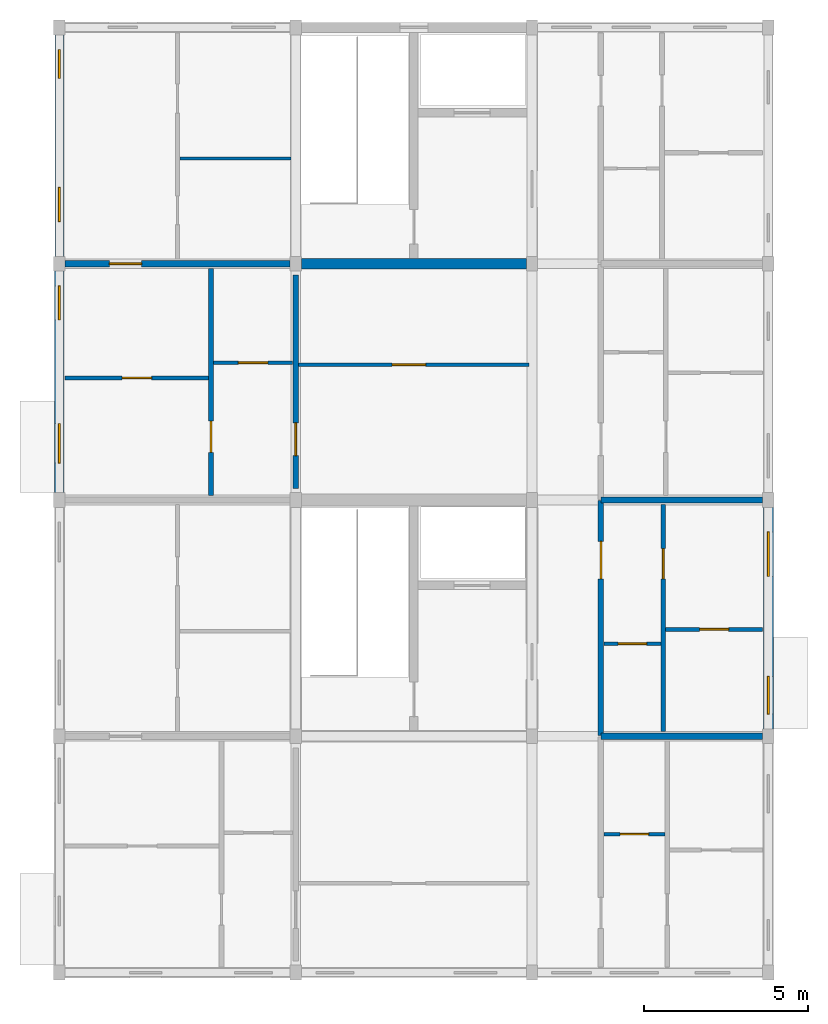
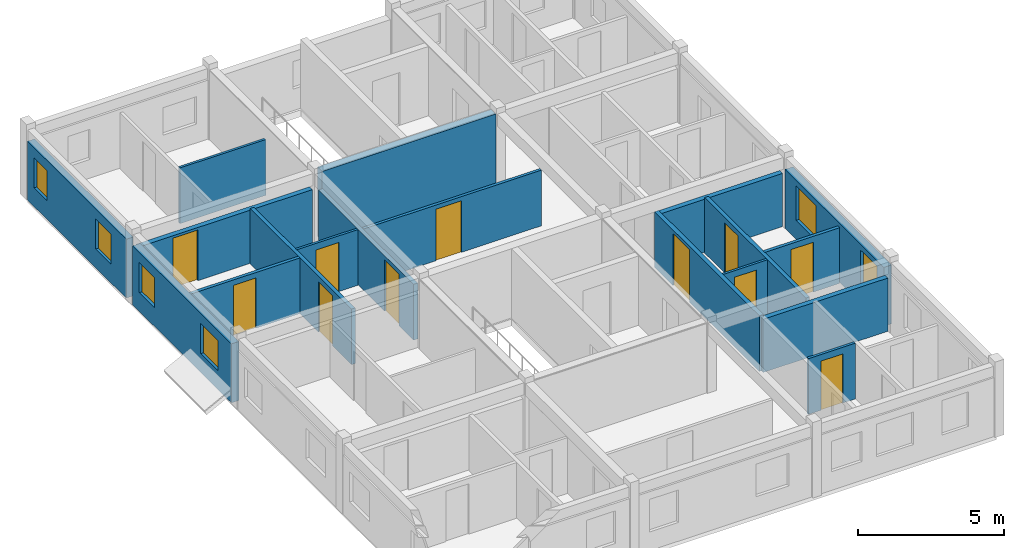
# One storey, part 3 of 6: 18 walls, 11 doors, 6 windows, 17 openings.
"""IFC4 building model written with IfcOpenShell, lengths in metres."""

from ifc_helpers import new_model, si_unit, direction, frame, frame_2d, origin, place, context, subcontext, project, spatial, rectangle, extrude, material, layer, layer_set, type_object, element, fill, save


model = new_model("IFC4")

# Units and contexts
model_context = context("Model", 3, precision=1e-05, world=origin(), true_north=direction((0.0, 1.0)))
body_context = subcontext(model_context, "Body", "Model", "MODEL_VIEW")
ifc_project = project(units=[si_unit("LENGTHUNIT", "METRE"), si_unit("AREAUNIT", "SQUARE_METRE"), si_unit("VOLUMEUNIT", "CUBIC_METRE"), si_unit("PLANEANGLEUNIT", "RADIAN"), si_unit("MASSUNIT", "GRAM", prefix="KILO"), si_unit("THERMODYNAMICTEMPERATUREUNIT", "KELVIN"), si_unit("POWERUNIT", "WATT")], contexts=[model_context])

# Site, building, storey
site_placement = place(None, origin())
site = spatial("IfcSite", under=ifc_project, at=site_placement, CompositionType="ELEMENT")
building_placement = place(site_placement, origin())
building = spatial("IfcBuilding", under=site, at=building_placement, Name="Tavuni Mirador Residences", CompositionType="ELEMENT")
storey_placement = place(building_placement, frame((0.0, 0.0, 48.60009765625)))
storey = spatial("IfcBuildingStorey", under=building, at=storey_placement, Name="L15", CompositionType="ELEMENT", Elevation=48.60009765625)

# Wall
ifc_material_1 = material(Name="Precast concrete C40/50", Category="concrete")
ifc_layer_1 = layer(ifc_material_1, 0.320068359375, Name="Precast concrete C40/50", Category="concrete")
ifc_layer_set_1 = layer_set([ifc_layer_1], Name="Precast concrete C40/50")
wall_type_1 = type_object("IfcWallType", Name="WT-COR320", PredefinedType="SHEAR", material=ifc_layer_set_1)
wall_1_placement = place(storey_placement, frame((10.97509765625, 28.800048828125, 0.0), z_axis=(0.0, 0.0, 1.0), x_axis=(1.0, 0.0, 0.0)))
element("IfcWall", 1, at=wall_1_placement, inside=storey, type_object=wall_type_1, Name="CWALL-C2-L15-SS", PredefinedType="SHEAR", context=body_context, shape_type="SweptSolid", body=[
    extrude(rectangle(XDim=6.849853515625, YDim=0.320068359375, at=frame_2d((3.4248046875, 0.0))), origin(), (0.0, 0.0, 1.0), 2.889892578125),
])

# Wall, opening, door
ifc_layer_2 = layer(ifc_material_1, 0.1650390625, Name="Precast concrete C40/50", Category="concrete")
ifc_layer_set_2 = layer_set([ifc_layer_2], Name="Precast concrete C40/50")
wall_type_2 = type_object("IfcWallType", Name="WT-CORR165", PredefinedType="PARTITIONING", material=ifc_layer_set_2)
wall_2_placement = place(storey_placement, frame((20.10009765625, 14.419921875, 0.0), z_axis=(0.0, 0.0, 1.0), x_axis=(0.0, 1.0, 0.0)))
wall_2 = element("IfcWall", 2, at=wall_2_placement, inside=storey, type_object=wall_type_2, Name="CORW-BLK-A-L15-0-01", PredefinedType="PARTITIONING", context=body_context, shape_type="SweptSolid", body=[
    extrude(rectangle(XDim=7.16015625, YDim=0.1650390625, at=frame_2d((3.580078125, 0.0))), origin(), (0.0, 0.0, 1.0), 2.324951171875),
])
opening_1_placement = place(wall_2_placement, frame((4.780029296875, 0.0, 0.0)))
opening_1 = element("IfcOpeningElement", 3, at=opening_1_placement, cuts=wall_2, Name="Opening D-20", PredefinedType="OPENING", context=body_context, shape_type="SweptSolid", body=[
    extrude(rectangle(XDim=1.139892578125, YDim=2.179931640625, at=frame_2d((0.56982421875, 1.08984375))), frame((0.0, 0.092529296875, 0.0), z_axis=(0.0, -1.0, 0.0), x_axis=(1.0, 0.0, 0.0)), (0.0, 0.0, 1.0), 0.18505859375),
])
ifc_material_2 = material(Name="Solid core iroko timber", Category="wood")
door_type_1 = type_object("IfcDoorType", Name="DT-FD60-1140", OperationType="NOTDEFINED", PredefinedType="DOOR", material=ifc_material_2)
door_1_placement = place(opening_1_placement, origin())
door_1 = element("IfcDoor", 4, at=door_1_placement, inside=storey, type_object=door_type_1, Name="DR-2516", OperationType="SINGLE_SWING_LEFT", OverallHeight=2.179931640625, OverallWidth=1.139892578125, PredefinedType="DOOR", context=body_context, shape_type="SweptSolid", body=[
    extrude(rectangle(XDim=1.139892578125, YDim=2.179931640625, at=frame_2d((0.56982421875, 1.08984375))), frame((0.0, 0.02490234375, 0.0), z_axis=(0.0, -1.0, 0.0), x_axis=(1.0, 0.0, 0.0)), (0.0, 0.0, 1.0), 0.050048828125),
])
fill(opening_1, door_1)

wall_3_placement = place(storey_placement, frame((10.800048828125, 21.949951171875, 0.0), z_axis=(0.0, 0.0, 1.0), x_axis=(0.0, 1.0, 0.0)))
wall_3 = element("IfcWall", 5, at=wall_3_placement, inside=storey, type_object=wall_type_2, Name="CORW-BLK-A-L15-1-02", PredefinedType="PARTITIONING", context=body_context, shape_type="SweptSolid", body=[
    extrude(rectangle(XDim=6.5, YDim=0.1650390625, at=frame_2d((3.25, 0.0))), origin(), (0.0, 0.0, 1.0), 2.324951171875),
])
opening_2_placement = place(wall_3_placement, frame((1.0, 0.0, 0.0)))
opening_2 = element("IfcOpeningElement", 6, at=opening_2_placement, cuts=wall_3, Name="Opening D-03", PredefinedType="OPENING", context=body_context, shape_type="SweptSolid", body=[
    extrude(rectangle(XDim=1.0, YDim=2.14990234375, at=frame_2d((0.5, 1.074951171875))), frame((0.0, 0.092529296875, 0.0), z_axis=(0.0, -1.0, 0.0), x_axis=(1.0, 0.0, 0.0)), (0.0, 0.0, 1.0), 0.18505859375),
])
door_type_2 = type_object("IfcDoorType", Name="DT-FD60-1000", OperationType="NOTDEFINED", PredefinedType="DOOR", material=ifc_material_2)
door_2_placement = place(opening_2_placement, origin())
door_2 = element("IfcDoor", 7, at=door_2_placement, inside=storey, type_object=door_type_2, Name="DR-2520", OperationType="SINGLE_SWING_LEFT", OverallHeight=2.14990234375, OverallWidth=1.0, PredefinedType="DOOR", context=body_context, shape_type="SweptSolid", body=[
    extrude(rectangle(XDim=1.0, YDim=2.14990234375, at=frame_2d((0.5, 1.074951171875))), frame((0.0, 0.02490234375, 0.0), z_axis=(0.0, -1.0, 0.0), x_axis=(1.0, 0.0, 0.0)), (0.0, 0.0, 1.0), 0.050048828125),
])
fill(opening_2, door_2)

# Wall, openings, windows
ifc_material_3 = material(Name="Sgraffito lime-rendered precast concrete C40/50", Category="concrete")
ifc_layer_3 = layer(ifc_material_3, 0.27490234375, Name="Sgraffito lime-rendered precast concrete C40/50", Category="concrete")
ifc_layer_set_3 = layer_set([ifc_layer_3], Name="Sgraffito lime-rendered precast concrete C40/50")
wall_type_3 = type_object("IfcWallType", Name="WT-EXT-PC275", PredefinedType="SOLIDWALL", material=ifc_layer_set_3)
wall_4_placement = place(storey_placement, frame((3.60009765625, 35.77490234375, 0.0), z_axis=(0.0, 0.0, 1.0), x_axis=(0.0, -1.0, 0.0)))
wall_4 = element("IfcWall", 8, at=wall_4_placement, inside=storey, type_object=wall_type_3, Name="EW-BLK-A-L15-W03", PredefinedType="SOLIDWALL", context=body_context, shape_type="SweptSolid", body=[
    extrude(rectangle(XDim=6.75, YDim=0.27490234375, at=frame_2d((3.375, 0.0))), origin(), (0.0, 0.0, 1.0), 2.4599609375),
])
opening_3_placement = place(wall_4_placement, frame((0.449951171875, 0.0, 0.780029296875)))
opening_3 = element("IfcOpeningElement", 9, at=opening_3_placement, cuts=wall_4, Name="Opening WN-09", PredefinedType="OPENING", context=body_context, shape_type="SweptSolid", body=[
    extrude(rectangle(XDim=0.8798828125, YDim=1.260009765625, at=frame_2d((0.43994140625, 0.6298828125))), frame((0.0, 0.1474609375, 0.0), z_axis=(0.0, -1.0, 0.0), x_axis=(1.0, 0.0, 0.0)), (0.0, 0.0, 1.0), 0.294921875),
])
opening_4_placement = place(wall_4_placement, frame((4.64990234375, 0.0, 0.780029296875)))
opening_4 = element("IfcOpeningElement", 10, at=opening_4_placement, cuts=wall_4, Name="Opening WN-11", PredefinedType="OPENING", context=body_context, shape_type="SweptSolid", body=[
    extrude(rectangle(XDim=1.0400390625, YDim=1.260009765625, at=frame_2d((0.52001953125, 0.6298828125))), frame((0.0, 0.1474609375, 0.0), z_axis=(0.0, -1.0, 0.0), x_axis=(1.0, 0.0, 0.0)), (0.0, 0.0, 1.0), 0.294921875),
])
ifc_material_4 = material(Name="Laminated solar-control glass", Category="glass")
window_type_1 = type_object("IfcWindowType", Name="WNT-09", PartitioningType="SINGLE_PANEL", PredefinedType="WINDOW", material=ifc_material_4)
window_1_placement = place(opening_3_placement, origin())
window_1 = element("IfcWindow", 11, at=window_1_placement, inside=storey, type_object=window_type_1, Name="WIN-0533", OverallHeight=1.260009765625, OverallWidth=0.8798828125, PartitioningType="SINGLE_PANEL", PredefinedType="WINDOW", context=body_context, shape_type="SweptSolid", body=[
    extrude(rectangle(XDim=0.8798828125, YDim=1.260009765625, at=frame_2d((0.43994140625, 0.6298828125))), frame((0.0, 0.030029296875, 0.0), z_axis=(0.0, -1.0, 0.0), x_axis=(1.0, 0.0, 0.0)), (0.0, 0.0, 1.0), 0.06005859375),
])
fill(opening_3, window_1)
window_type_2 = type_object("IfcWindowType", Name="WNT-11", PartitioningType="SINGLE_PANEL", PredefinedType="WINDOW", material=ifc_material_4)
window_2_placement = place(opening_4_placement, origin())
window_2 = element("IfcWindow", 12, at=window_2_placement, inside=storey, type_object=window_type_2, Name="WIN-0534", OverallHeight=1.260009765625, OverallWidth=1.0400390625, PartitioningType="SINGLE_PANEL", PredefinedType="WINDOW", context=body_context, shape_type="SweptSolid", body=[
    extrude(rectangle(XDim=1.0400390625, YDim=1.260009765625, at=frame_2d((0.52001953125, 0.6298828125))), frame((0.0, 0.030029296875, 0.0), z_axis=(0.0, -1.0, 0.0), x_axis=(1.0, 0.0, 0.0)), (0.0, 0.0, 1.0), 0.06005859375),
])
fill(opening_4, window_2)

ifc_layer_4 = layer(ifc_material_3, 0.2900390625, Name="Sgraffito lime-rendered precast concrete C40/50", Category="concrete")
ifc_layer_set_4 = layer_set([ifc_layer_4], Name="Sgraffito lime-rendered precast concrete C40/50")
wall_type_4 = type_object("IfcWallType", Name="WT-EXT-PC290", PredefinedType="SOLIDWALL", material=ifc_layer_set_4)
wall_5_placement = place(storey_placement, frame((3.60009765625, 28.574951171875, 0.0), z_axis=(0.0, 0.0, 1.0), x_axis=(0.0, -1.0, 0.0)))
wall_5 = element("IfcWall", 13, at=wall_5_placement, inside=storey, type_object=wall_type_4, Name="EW-BLK-A-L15-W02", PredefinedType="SOLIDWALL", context=body_context, shape_type="SweptSolid", body=[
    extrude(rectangle(XDim=6.75, YDim=0.2900390625, at=frame_2d((3.375, 0.0))), origin(), (0.0, 0.0, 1.0), 2.4599609375),
])
opening_5_placement = place(wall_5_placement, frame((0.449951171875, 0.0, 0.780029296875)))
opening_5 = element("IfcOpeningElement", 14, at=opening_5_placement, cuts=wall_5, Name="Opening WN-11", PredefinedType="OPENING", context=body_context, shape_type="SweptSolid", body=[
    extrude(rectangle(XDim=1.0400390625, YDim=1.260009765625, at=frame_2d((0.52001953125, 0.6298828125))), frame((0.0, 0.155029296875, 0.0), z_axis=(0.0, -1.0, 0.0), x_axis=(1.0, 0.0, 0.0)), (0.0, 0.0, 1.0), 0.31005859375),
])
opening_6_placement = place(wall_5_placement, frame((4.64990234375, 0.0, 0.780029296875)))
opening_6 = element("IfcOpeningElement", 15, at=opening_6_placement, cuts=wall_5, Name="Opening WN-13", PredefinedType="OPENING", context=body_context, shape_type="SweptSolid", body=[
    extrude(rectangle(XDim=1.199951171875, YDim=1.260009765625, at=frame_2d((0.60009765625, 0.6298828125))), frame((0.0, 0.155029296875, 0.0), z_axis=(0.0, -1.0, 0.0), x_axis=(1.0, 0.0, 0.0)), (0.0, 0.0, 1.0), 0.31005859375),
])
window_3_placement = place(opening_5_placement, origin())
window_3 = element("IfcWindow", 16, at=window_3_placement, inside=storey, type_object=window_type_2, Name="WIN-0535", OverallHeight=1.260009765625, OverallWidth=1.0400390625, PartitioningType="SINGLE_PANEL", PredefinedType="WINDOW", context=body_context, shape_type="SweptSolid", body=[
    extrude(rectangle(XDim=1.0400390625, YDim=1.260009765625, at=frame_2d((0.52001953125, 0.6298828125))), frame((0.0, 0.030029296875, 0.0), z_axis=(0.0, -1.0, 0.0), x_axis=(1.0, 0.0, 0.0)), (0.0, 0.0, 1.0), 0.06005859375),
])
fill(opening_5, window_3)
window_type_3 = type_object("IfcWindowType", Name="WNT-13", PartitioningType="SINGLE_PANEL", PredefinedType="WINDOW", material=ifc_material_4)
window_4_placement = place(opening_6_placement, origin())
window_4 = element("IfcWindow", 17, at=window_4_placement, inside=storey, type_object=window_type_3, Name="WIN-0536", OverallHeight=1.260009765625, OverallWidth=1.199951171875, PartitioningType="SINGLE_PANEL", PredefinedType="WINDOW", context=body_context, shape_type="SweptSolid", body=[
    extrude(rectangle(XDim=1.199951171875, YDim=1.260009765625, at=frame_2d((0.60009765625, 0.6298828125))), frame((0.0, 0.030029296875, 0.0), z_axis=(0.0, -1.0, 0.0), x_axis=(1.0, 0.0, 0.0)), (0.0, 0.0, 1.0), 0.06005859375),
])
fill(opening_6, window_4)

ifc_layer_5 = layer(ifc_material_3, 0.304931640625, Name="Sgraffito lime-rendered precast concrete C40/50", Category="concrete")
ifc_layer_set_5 = layer_set([ifc_layer_5], Name="Sgraffito lime-rendered precast concrete C40/50")
wall_type_5 = type_object("IfcWallType", Name="WT-EXT-PC305", PredefinedType="SOLIDWALL", material=ifc_layer_set_5)
wall_6_placement = place(storey_placement, frame((25.199951171875, 14.625, 0.0), z_axis=(0.0, 0.0, 1.0), x_axis=(0.0, 1.0, 0.0)))
wall_6 = element("IfcWall", 18, at=wall_6_placement, inside=storey, type_object=wall_type_5, Name="EW-BLK-A-L15-E01", PredefinedType="SOLIDWALL", context=body_context, shape_type="SweptSolid", body=[
    extrude(rectangle(XDim=6.75, YDim=0.304931640625, at=frame_2d((3.375, 0.0))), origin(), (0.0, 0.0, 1.0), 2.4599609375),
])
opening_7_placement = place(wall_6_placement, frame((0.449951171875, 0.0, 0.780029296875)))
opening_7 = element("IfcOpeningElement", 19, at=opening_7_placement, cuts=wall_6, Name="Opening WN-27", PredefinedType="OPENING", context=body_context, shape_type="SweptSolid", body=[
    extrude(rectangle(XDim=1.14990234375, YDim=1.43994140625, at=frame_2d((0.574951171875, 0.719970703125))), frame((0.0, 0.16259765625, 0.0), z_axis=(0.0, -1.0, 0.0), x_axis=(1.0, 0.0, 0.0)), (0.0, 0.0, 1.0), 0.324951171875),
])
opening_8_placement = place(wall_6_placement, frame((4.64990234375, 0.0, 0.780029296875)))
opening_8 = element("IfcOpeningElement", 20, at=opening_8_placement, cuts=wall_6, Name="Opening WN-29", PredefinedType="OPENING", context=body_context, shape_type="SweptSolid", body=[
    extrude(rectangle(XDim=1.35009765625, YDim=1.43994140625, at=frame_2d((0.675048828125, 0.719970703125))), frame((0.0, 0.16259765625, 0.0), z_axis=(0.0, -1.0, 0.0), x_axis=(1.0, 0.0, 0.0)), (0.0, 0.0, 1.0), 0.324951171875),
])
window_type_4 = type_object("IfcWindowType", Name="WNT-27", PartitioningType="SINGLE_PANEL", PredefinedType="WINDOW", material=ifc_material_4)
window_5_placement = place(opening_7_placement, origin())
window_5 = element("IfcWindow", 21, at=window_5_placement, inside=storey, type_object=window_type_4, Name="WIN-0521", OverallHeight=1.43994140625, OverallWidth=1.14990234375, PartitioningType="SINGLE_PANEL", PredefinedType="WINDOW", context=body_context, shape_type="SweptSolid", body=[
    extrude(rectangle(XDim=1.14990234375, YDim=1.43994140625, at=frame_2d((0.574951171875, 0.719970703125))), frame((0.0, 0.030029296875, 0.0), z_axis=(0.0, -1.0, 0.0), x_axis=(1.0, 0.0, 0.0)), (0.0, 0.0, 1.0), 0.06005859375),
])
fill(opening_7, window_5)
window_type_5 = type_object("IfcWindowType", Name="WNT-29", PartitioningType="SINGLE_PANEL", PredefinedType="WINDOW", material=ifc_material_4)
window_6_placement = place(opening_8_placement, origin())
window_6 = element("IfcWindow", 22, at=window_6_placement, inside=storey, type_object=window_type_5, Name="WIN-0522", OverallHeight=1.43994140625, OverallWidth=1.35009765625, PartitioningType="SINGLE_PANEL", PredefinedType="WINDOW", context=body_context, shape_type="SweptSolid", body=[
    extrude(rectangle(XDim=1.35009765625, YDim=1.43994140625, at=frame_2d((0.675048828125, 0.719970703125))), frame((0.0, 0.030029296875, 0.0), z_axis=(0.0, -1.0, 0.0), x_axis=(1.0, 0.0, 0.0)), (0.0, 0.0, 1.0), 0.06005859375),
])
fill(opening_8, window_6)

# Wall, opening, door
ifc_material_5 = material(Name="Acoustic gypsum and concrete block partition", Category="concrete")
ifc_layer_6 = layer(ifc_material_5, 0.094970703125, Name="Acoustic gypsum and concrete block partition", Category="concrete")
ifc_layer_set_6 = layer_set([ifc_layer_6], Name="Acoustic gypsum and concrete block partition")
wall_type_6 = type_object("IfcWallType", Name="WT-PART095", PredefinedType="PARTITIONING", material=ifc_layer_set_6)
wall_7_placement = place(storey_placement, frame((20.18994140625, 17.219970703125, 0.0), z_axis=(0.0, 0.0, 1.0), x_axis=(1.0, 0.0, 0.0)))
wall_7 = element("IfcWall", 23, at=wall_7_placement, inside=storey, type_object=wall_type_6, Name="PW-BLK-A-L15-E01-IN1", PredefinedType="PARTITIONING", context=body_context, shape_type="SweptSolid", body=[
    extrude(rectangle(XDim=1.739990234375, YDim=0.094970703125, at=frame_2d((0.8701171875, 0.0))), origin(), (0.0, 0.0, 1.0), 2.324951171875),
])
opening_9_placement = place(wall_7_placement, frame((0.43505859375, 0.0, 0.0)))
opening_9 = element("IfcOpeningElement", 24, at=opening_9_placement, cuts=wall_7, Name="Opening D-10", PredefinedType="OPENING", context=body_context, shape_type="SweptSolid", body=[
    extrude(rectangle(XDim=0.8701171875, YDim=2.050048828125, at=frame_2d((0.43505859375, 1.02490234375))), frame((0.0, 0.0576171875, 0.0), z_axis=(0.0, -1.0, 0.0), x_axis=(1.0, 0.0, 0.0)), (0.0, 0.0, 1.0), 0.114990234375),
])
door_type_3 = type_object("IfcDoorType", Name="DT-WC870", OperationType="NOTDEFINED", PredefinedType="DOOR", material=ifc_material_2)
door_3_placement = place(opening_9_placement, origin())
door_3 = element("IfcDoor", 25, at=door_3_placement, inside=storey, type_object=door_type_3, Name="DR-3410", OperationType="SINGLE_SWING_LEFT", OverallHeight=2.050048828125, OverallWidth=0.8701171875, PredefinedType="DOOR", context=body_context, shape_type="SweptSolid", body=[
    extrude(rectangle(XDim=0.8701171875, YDim=2.050048828125, at=frame_2d((0.43505859375, 1.02490234375))), frame((0.0, 0.02490234375, 0.0), z_axis=(0.0, -1.0, 0.0), x_axis=(1.0, 0.0, 0.0)), (0.0, 0.0, 1.0), 0.050048828125),
])
fill(opening_9, door_3)

wall_8_placement = place(storey_placement, frame((8.2900390625, 25.780029296875, 0.0), z_axis=(0.0, 0.0, 1.0), x_axis=(1.0, 0.0, 0.0)))
wall_8 = element("IfcWall", 26, at=wall_8_placement, inside=storey, type_object=wall_type_6, Name="PW-BLK-A-L15-W02-IN1", PredefinedType="PARTITIONING", context=body_context, shape_type="SweptSolid", body=[
    extrude(rectangle(XDim=2.419921875, YDim=0.094970703125, at=frame_2d((1.2099609375, 0.0))), origin(), (0.0, 0.0, 1.0), 2.324951171875),
])
opening_10_placement = place(wall_8_placement, frame((0.760009765625, 0.0, 0.0)))
opening_10 = element("IfcOpeningElement", 27, at=opening_10_placement, cuts=wall_8, Name="Opening D-09", PredefinedType="OPENING", context=body_context, shape_type="SweptSolid", body=[
    extrude(rectangle(XDim=0.89990234375, YDim=2.050048828125, at=frame_2d((0.449951171875, 1.02490234375))), frame((0.0, 0.0576171875, 0.0), z_axis=(0.0, -1.0, 0.0), x_axis=(1.0, 0.0, 0.0)), (0.0, 0.0, 1.0), 0.114990234375),
])
door_type_4 = type_object("IfcDoorType", Name="DT-WC900", OperationType="NOTDEFINED", PredefinedType="DOOR", material=ifc_material_2)
door_4_placement = place(opening_10_placement, origin())
door_4 = element("IfcDoor", 28, at=door_4_placement, inside=storey, type_object=door_type_4, Name="DR-3414", OperationType="SINGLE_SWING_RIGHT", OverallHeight=2.050048828125, OverallWidth=0.89990234375, PredefinedType="DOOR", context=body_context, shape_type="SweptSolid", body=[
    extrude(rectangle(XDim=0.89990234375, YDim=2.050048828125, at=frame_2d((0.449951171875, 1.02490234375))), frame((0.0, 0.02490234375, 0.0), z_axis=(0.0, -1.0, 0.0), x_axis=(1.0, 0.0, 0.0)), (0.0, 0.0, 1.0), 0.050048828125),
])
fill(opening_10, door_4)

# Wall
wall_9_placement = place(storey_placement, frame((7.27001953125, 32.0, 0.0), z_axis=(0.0, 0.0, 1.0), x_axis=(1.0, 0.0, 0.0)))
element("IfcWall", 29, at=wall_9_placement, inside=storey, type_object=wall_type_6, Name="PW-BLK-A-L15-WC03-H", PredefinedType="PARTITIONING", context=body_context, shape_type="SweptSolid", body=[
    extrude(rectangle(XDim=3.389892578125, YDim=0.094970703125, at=frame_2d((1.69482421875, 0.0))), origin(), (0.0, 0.0, 1.0), 2.324951171875),
])

# Wall, opening, door
ifc_layer_7 = layer(ifc_material_5, 0.10498046875, Name="Acoustic gypsum and concrete block partition", Category="concrete")
ifc_layer_set_7 = layer_set([ifc_layer_7], Name="Acoustic gypsum and concrete block partition")
wall_type_7 = type_object("IfcWallType", Name="WT-PART105", PredefinedType="PARTITIONING", material=ifc_layer_set_7)
wall_10_placement = place(storey_placement, frame((20.18994140625, 11.419921875, 0.0), z_axis=(0.0, 0.0, 1.0), x_axis=(1.0, 0.0, 0.0)))
wall_10 = element("IfcWall", 30, at=wall_10_placement, inside=storey, type_object=wall_type_7, Name="PW-BLK-A-L15-E00-IN1", PredefinedType="PARTITIONING", context=body_context, shape_type="SweptSolid", body=[
    extrude(rectangle(XDim=1.860107421875, YDim=0.10498046875, at=frame_2d((0.93017578125, 0.0))), origin(), (0.0, 0.0, 1.0), 2.324951171875),
])
opening_11_placement = place(wall_10_placement, frame((0.4951171875, 0.0, 0.0)))
opening_11 = element("IfcOpeningElement", 31, at=opening_11_placement, cuts=wall_10, Name="Opening D-10", PredefinedType="OPENING", context=body_context, shape_type="SweptSolid", body=[
    extrude(rectangle(XDim=0.8701171875, YDim=2.050048828125, at=frame_2d((0.43505859375, 1.02490234375))), frame((0.0, 0.0625, 0.0), z_axis=(0.0, -1.0, 0.0), x_axis=(1.0, 0.0, 0.0)), (0.0, 0.0, 1.0), 0.125),
])
door_5_placement = place(opening_11_placement, origin())
door_5 = element("IfcDoor", 32, at=door_5_placement, inside=storey, type_object=door_type_3, Name="DR-3405", OperationType="SINGLE_SWING_RIGHT", OverallHeight=2.050048828125, OverallWidth=0.8701171875, PredefinedType="DOOR", context=body_context, shape_type="SweptSolid", body=[
    extrude(rectangle(XDim=0.8701171875, YDim=2.050048828125, at=frame_2d((0.43505859375, 1.02490234375))), frame((0.0, 0.02490234375, 0.0), z_axis=(0.0, -1.0, 0.0), x_axis=(1.0, 0.0, 0.0)), (0.0, 0.0, 1.0), 0.050048828125),
])
fill(opening_11, door_5)

ifc_layer_8 = layer(ifc_material_5, 0.114990234375, Name="Acoustic gypsum and concrete block partition", Category="concrete")
ifc_layer_set_8 = layer_set([ifc_layer_8], Name="Acoustic gypsum and concrete block partition")
wall_type_8 = type_object("IfcWallType", Name="WT-PART115", PredefinedType="PARTITIONING", material=ifc_layer_set_8)
wall_11_placement = place(storey_placement, frame((10.889892578125, 25.719970703125, 0.0), z_axis=(0.0, 0.0, 1.0), x_axis=(1.0, 0.0, 0.0)))
wall_11 = element("IfcWall", 33, at=wall_11_placement, inside=storey, type_object=wall_type_8, Name="PW-SPN-BLK-A-L15-02", PredefinedType="PARTITIONING", context=body_context, shape_type="SweptSolid", body=[
    extrude(rectangle(XDim=7.02001953125, YDim=0.114990234375, at=frame_2d((3.510009765625, 0.0))), origin(), (0.0, 0.0, 1.0), 2.324951171875),
])
opening_12_placement = place(wall_11_placement, frame((2.85009765625, 0.0, 0.0)))
opening_12 = element("IfcOpeningElement", 34, at=opening_12_placement, cuts=wall_11, Name="Opening D-13", PredefinedType="OPENING", context=body_context, shape_type="SweptSolid", body=[
    extrude(rectangle(XDim=1.02001953125, YDim=2.14990234375, at=frame_2d((0.510009765625, 1.074951171875))), frame((0.0, 0.0673828125, 0.0), z_axis=(0.0, -1.0, 0.0), x_axis=(1.0, 0.0, 0.0)), (0.0, 0.0, 1.0), 0.135009765625),
])
door_type_5 = type_object("IfcDoorType", Name="DT-MTG1020", OperationType="NOTDEFINED", PredefinedType="DOOR", material=ifc_material_2)
door_6_placement = place(opening_12_placement, origin())
door_6 = element("IfcDoor", 35, at=door_6_placement, inside=storey, type_object=door_type_5, Name="DR-3412", OperationType="SINGLE_SWING_LEFT", OverallHeight=2.14990234375, OverallWidth=1.02001953125, PredefinedType="DOOR", context=body_context, shape_type="SweptSolid", body=[
    extrude(rectangle(XDim=1.02001953125, YDim=2.14990234375, at=frame_2d((0.510009765625, 1.074951171875))), frame((0.0, 0.02490234375, 0.0), z_axis=(0.0, -1.0, 0.0), x_axis=(1.0, 0.0, 0.0)), (0.0, 0.0, 1.0), 0.050048828125),
])
fill(opening_12, door_6)

ifc_layer_9 = layer(ifc_material_5, 0.125, Name="Acoustic gypsum and concrete block partition", Category="concrete")
ifc_layer_set_9 = layer_set([ifc_layer_9], Name="Acoustic gypsum and concrete block partition")
wall_type_9 = type_object("IfcWallType", Name="WT-PART125", PredefinedType="PARTITIONING", material=ifc_layer_set_9)
wall_12_placement = place(storey_placement, frame((22.070068359375, 17.659912109375, 0.0), z_axis=(0.0, 0.0, 1.0), x_axis=(1.0, 0.0, 0.0)))
wall_12 = element("IfcWall", 36, at=wall_12_placement, inside=storey, type_object=wall_type_9, Name="PW-BLK-A-L15-E01-OUT", PredefinedType="PARTITIONING", context=body_context, shape_type="SweptSolid", body=[
    extrude(rectangle(XDim=2.954833984375, YDim=0.125, at=frame_2d((1.4775390625, 0.0))), origin(), (0.0, 0.0, 1.0), 2.324951171875),
])
opening_13_placement = place(wall_12_placement, frame((1.03759765625, 0.0, 0.0)))
opening_13 = element("IfcOpeningElement", 37, at=opening_13_placement, cuts=wall_12, Name="Opening D-08", PredefinedType="OPENING", context=body_context, shape_type="SweptSolid", body=[
    extrude(rectangle(XDim=0.8798828125, YDim=2.080078125, at=frame_2d((0.43994140625, 1.0400390625))), frame((0.0, 0.072509765625, 0.0), z_axis=(0.0, -1.0, 0.0), x_axis=(1.0, 0.0, 0.0)), (0.0, 0.0, 1.0), 0.14501953125),
])
door_type_6 = type_object("IfcDoorType", Name="DT-BED880", OperationType="NOTDEFINED", PredefinedType="DOOR", material=ifc_material_2)
door_7_placement = place(opening_13_placement, origin())
door_7 = element("IfcDoor", 38, at=door_7_placement, inside=storey, type_object=door_type_6, Name="DR-3409", OperationType="SINGLE_SWING_RIGHT", OverallHeight=2.080078125, OverallWidth=0.8798828125, PredefinedType="DOOR", context=body_context, shape_type="SweptSolid", body=[
    extrude(rectangle(XDim=0.8798828125, YDim=2.080078125, at=frame_2d((0.43994140625, 1.0400390625))), frame((0.0, 0.02490234375, 0.0), z_axis=(0.0, -1.0, 0.0), x_axis=(1.0, 0.0, 0.0)), (0.0, 0.0, 1.0), 0.050048828125),
])
fill(opening_13, door_7)

wall_13_placement = place(storey_placement, frame((3.77490234375, 25.320068359375, 0.0), z_axis=(0.0, 0.0, 1.0), x_axis=(1.0, 0.0, 0.0)))
wall_13 = element("IfcWall", 39, at=wall_13_placement, inside=storey, type_object=wall_type_9, Name="PW-BLK-A-L15-W02-OUT", PredefinedType="PARTITIONING", context=body_context, shape_type="SweptSolid", body=[
    extrude(rectangle(XDim=4.375, YDim=0.125, at=frame_2d((2.1875, 0.0))), origin(), (0.0, 0.0, 1.0), 2.324951171875),
])
opening_14_placement = place(wall_13_placement, frame((1.737548828125, 0.0, 0.0)))
opening_14 = element("IfcOpeningElement", 40, at=opening_14_placement, cuts=wall_13, Name="Opening D-07", PredefinedType="OPENING", context=body_context, shape_type="SweptSolid", body=[
    extrude(rectangle(XDim=0.89990234375, YDim=2.10009765625, at=frame_2d((0.449951171875, 1.050048828125))), frame((0.0, 0.072509765625, 0.0), z_axis=(0.0, -1.0, 0.0), x_axis=(1.0, 0.0, 0.0)), (0.0, 0.0, 1.0), 0.14501953125),
])
door_type_7 = type_object("IfcDoorType", Name="DT-BED900", OperationType="NOTDEFINED", PredefinedType="DOOR", material=ifc_material_2)
door_8_placement = place(opening_14_placement, origin())
door_8 = element("IfcDoor", 41, at=door_8_placement, inside=storey, type_object=door_type_7, Name="DR-3413", OperationType="SINGLE_SWING_LEFT", OverallHeight=2.10009765625, OverallWidth=0.89990234375, PredefinedType="DOOR", context=body_context, shape_type="SweptSolid", body=[
    extrude(rectangle(XDim=0.89990234375, YDim=2.10009765625, at=frame_2d((0.449951171875, 1.050048828125))), frame((0.0, 0.02490234375, 0.0), z_axis=(0.0, -1.0, 0.0), x_axis=(1.0, 0.0, 0.0)), (0.0, 0.0, 1.0), 0.050048828125),
])
fill(opening_14, door_8)

ifc_layer_10 = layer(ifc_material_5, 0.14990234375, Name="Acoustic gypsum and concrete block partition", Category="concrete")
ifc_layer_set_10 = layer_set([ifc_layer_10], Name="Acoustic gypsum and concrete block partition")
wall_type_10 = type_object("IfcWallType", Name="WT-PART150", PredefinedType="PARTITIONING", material=ifc_layer_set_10)
wall_14_placement = place(storey_placement, frame((22.0, 14.5400390625, 0.0), z_axis=(0.0, 0.0, 1.0), x_axis=(0.0, 1.0, 0.0)))
wall_14 = element("IfcWall", 42, at=wall_14_placement, inside=storey, type_object=wall_type_10, Name="PW-BLK-A-L15-E01-MID", PredefinedType="PARTITIONING", context=body_context, shape_type="SweptSolid", body=[
    extrude(rectangle(XDim=6.919921875, YDim=0.14990234375, at=frame_2d((3.4599609375, 0.0))), origin(), (0.0, 0.0, 1.0), 2.324951171875),
])
opening_15_placement = place(wall_14_placement, frame((4.659912109375, 0.0, 0.0)))
opening_15 = element("IfcOpeningElement", 43, at=opening_15_placement, cuts=wall_14, Name="Opening D-06", PredefinedType="OPENING", context=body_context, shape_type="SweptSolid", body=[
    extrude(rectangle(XDim=0.919921875, YDim=2.10009765625, at=frame_2d((0.4599609375, 1.050048828125))), frame((0.0, 0.0849609375, 0.0), z_axis=(0.0, -1.0, 0.0), x_axis=(1.0, 0.0, 0.0)), (0.0, 0.0, 1.0), 0.169921875),
])
door_type_8 = type_object("IfcDoorType", Name="DT-INT920", OperationType="NOTDEFINED", PredefinedType="DOOR", material=ifc_material_2)
door_9_placement = place(opening_15_placement, origin())
door_9 = element("IfcDoor", 44, at=door_9_placement, inside=storey, type_object=door_type_8, Name="DR-3411", OperationType="SINGLE_SWING_RIGHT", OverallHeight=2.10009765625, OverallWidth=0.919921875, PredefinedType="DOOR", context=body_context, shape_type="SweptSolid", body=[
    extrude(rectangle(XDim=0.919921875, YDim=2.10009765625, at=frame_2d((0.4599609375, 1.050048828125))), frame((0.0, 0.02490234375, 0.0), z_axis=(0.0, -1.0, 0.0), x_axis=(1.0, 0.0, 0.0)), (0.0, 0.0, 1.0), 0.050048828125),
])
fill(opening_15, door_9)

wall_15_placement = place(storey_placement, frame((8.219970703125, 21.739990234375, 0.0), z_axis=(0.0, 0.0, 1.0), x_axis=(0.0, 1.0, 0.0)))
wall_15 = element("IfcWall", 45, at=wall_15_placement, inside=storey, type_object=wall_type_10, Name="PW-BLK-A-L15-W02-MID", PredefinedType="PARTITIONING", context=body_context, shape_type="SweptSolid", body=[
    extrude(rectangle(XDim=6.919921875, YDim=0.14990234375, at=frame_2d((3.4599609375, 0.0))), origin(), (0.0, 0.0, 1.0), 2.324951171875),
])
opening_16_placement = place(wall_15_placement, frame((1.31005859375, 0.0, 0.0)))
opening_16 = element("IfcOpeningElement", 46, at=opening_16_placement, cuts=wall_15, Name="Opening D-05", PredefinedType="OPENING", context=body_context, shape_type="SweptSolid", body=[
    extrude(rectangle(XDim=0.949951171875, YDim=2.10009765625, at=frame_2d((0.47509765625, 1.050048828125))), frame((0.0, 0.0849609375, 0.0), z_axis=(0.0, -1.0, 0.0), x_axis=(1.0, 0.0, 0.0)), (0.0, 0.0, 1.0), 0.169921875),
])
door_type_9 = type_object("IfcDoorType", Name="DT-INT950", OperationType="NOTDEFINED", PredefinedType="DOOR", material=ifc_material_2)
door_10_placement = place(opening_16_placement, origin())
door_10 = element("IfcDoor", 47, at=door_10_placement, inside=storey, type_object=door_type_9, Name="DR-3415", OperationType="SINGLE_SWING_LEFT", OverallHeight=2.10009765625, OverallWidth=0.949951171875, PredefinedType="DOOR", context=body_context, shape_type="SweptSolid", body=[
    extrude(rectangle(XDim=0.949951171875, YDim=2.10009765625, at=frame_2d((0.47509765625, 1.050048828125))), frame((0.0, 0.02490234375, 0.0), z_axis=(0.0, -1.0, 0.0), x_axis=(1.0, 0.0, 0.0)), (0.0, 0.0, 1.0), 0.050048828125),
])
fill(opening_16, door_10)

# Walls
ifc_layer_11 = layer(ifc_material_1, 0.195068359375, Name="Precast concrete C40/50", Category="concrete")
ifc_layer_set_11 = layer_set([ifc_layer_11], Name="Precast concrete C40/50")
wall_type_11 = type_object("IfcWallType", Name="WT-XW195", PredefinedType="SOLIDWALL", material=ifc_layer_set_11)
for number, where, z_axis, x_axis, name in (
    (48, (20.10009765625, 14.39990234375, 0.0), (0.0, 0.0, 1.0), (1.0, 0.0, 0.0), "XW-BLK-A-L15-E-01"),
    (49, (20.10009765625, 21.60009765625, 0.0), (0.0, 0.0, 1.0), (1.0, 0.0, 0.0), "XW-BLK-A-L15-E-02"),
):
    element("IfcWall", number, at=place(storey_placement, frame(where, z_axis=z_axis, x_axis=x_axis)), inside=storey, type_object=wall_type_11, Name=name, PredefinedType="SOLIDWALL", context=body_context, shape_type="SweptSolid", body=[
        extrude(rectangle(XDim=4.9248046875, YDim=0.195068359375, at=frame_2d((2.46240234375, 0.0))), origin(), (0.0, 0.0, 1.0), 2.219970703125),
    ])

# Wall, opening, door
wall_16_placement = place(storey_placement, frame((3.77490234375, 28.800048828125, 0.0), z_axis=(0.0, 0.0, 1.0), x_axis=(1.0, 0.0, 0.0)))
wall_16 = element("IfcWall", 50, at=wall_16_placement, inside=storey, type_object=wall_type_11, Name="XW-BLK-A-L15-W-03", PredefinedType="SOLIDWALL", context=body_context, shape_type="SweptSolid", body=[
    extrude(rectangle(XDim=6.85009765625, YDim=0.195068359375, at=frame_2d((3.425048828125, 0.0))), origin(), (0.0, 0.0, 1.0), 2.219970703125),
])
opening_17_placement = place(wall_16_placement, frame((1.35009765625, 0.0, 0.0)))
opening_17 = element("IfcOpeningElement", 51, at=opening_17_placement, cuts=wall_16, Name="Opening D-04", PredefinedType="OPENING", context=body_context, shape_type="SweptSolid", body=[
    extrude(rectangle(XDim=0.97998046875, YDim=2.1201171875, at=frame_2d((0.489990234375, 1.06005859375))), frame((0.0, 0.107421875, 0.0), z_axis=(0.0, -1.0, 0.0), x_axis=(1.0, 0.0, 0.0)), (0.0, 0.0, 1.0), 0.215087890625),
])
door_type_10 = type_object("IfcDoorType", Name="DT-FD60-980", OperationType="NOTDEFINED", PredefinedType="DOOR", material=ifc_material_2)
door_11_placement = place(opening_17_placement, origin())
door_11 = element("IfcDoor", 52, at=door_11_placement, inside=storey, type_object=door_type_10, Name="DR-4705", OperationType="SINGLE_SWING_RIGHT", OverallHeight=2.1201171875, OverallWidth=0.97998046875, PredefinedType="DOOR", context=body_context, shape_type="SweptSolid", body=[
    extrude(rectangle(XDim=0.97998046875, YDim=2.1201171875, at=frame_2d((0.489990234375, 1.06005859375))), frame((0.0, 0.02490234375, 0.0), z_axis=(0.0, -1.0, 0.0), x_axis=(1.0, 0.0, 0.0)), (0.0, 0.0, 1.0), 0.050048828125),
])
fill(opening_17, door_11)

save(model, "model.ifc")
